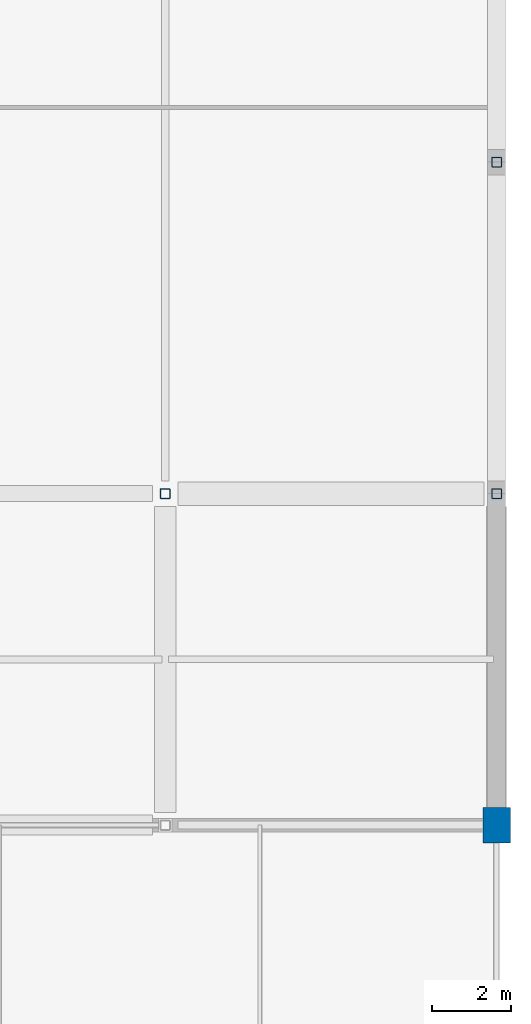
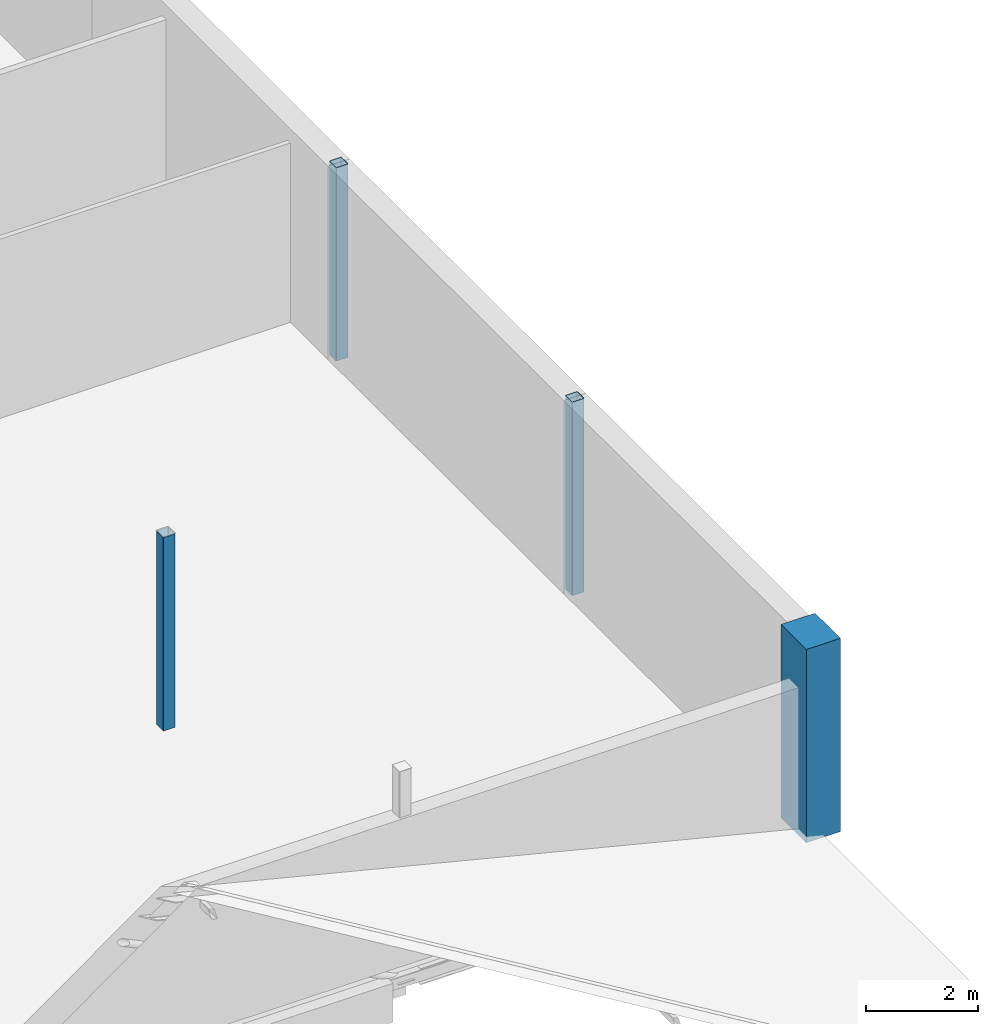
# One storey, part 7 of 64: 4 columns.
"""IFC4 building model written with IfcOpenShell, lengths in metres."""

import ifcopenshell
import ifcopenshell.guid

model = None  # the IFC model being written
_history = None  # IfcOwnerHistory: only IFC2X3 demands one
_inside = {}  # id of a spatial element -> (the spatial element, [elements in it])
_under = {}  # id of a project, library or spatial element -> (it, [spatial elements below it])
_declared = {}  # id of a project -> (the project, [libraries it declares])
_typed = {}  # id of a type object -> (the type object, [elements of that type])
_made_of = {}  # id of a material, layer set ... -> (it, [elements and type objects made of it])


def new_model(schema):
    """Start an empty IFC model of exactly this schema.

    Asked for "IFC4X3", IfcOpenShell would pick the latest addendum, in which some entities
    have other attributes; the version numbers below select the first issue.
    IFC2X3 requires an IfcOwnerHistory on every rooted entity: one is made here for all.
    """
    global model, _history
    if schema == "IFC4X3":
        model = ifcopenshell.file(schema_version=(4, 3, 0, 0))
    else:
        model = ifcopenshell.file(schema=schema)
    _inside.clear()
    _under.clear()
    _declared.clear()
    _typed.clear()
    _made_of.clear()
    _history = None
    if model.schema == "IFC2X3":
        org = make("IfcOrganization", Name="unknown")
        user = make(
            "IfcPersonAndOrganization",
            ThePerson=make("IfcPerson", FamilyName="unknown"),
            TheOrganization=org,
        )
        app = make(
            "IfcApplication",
            ApplicationDeveloper=org,
            Version="unknown",
            ApplicationFullName="unknown",
            ApplicationIdentifier="unknown",
        )
        _history = make(
            "IfcOwnerHistory",
            OwningUser=user,
            OwningApplication=app,
            ChangeAction="ADDED",
            CreationDate=0,
        )
    return model


def make(cls, **values):
    """One entity of the class cls with the attributes given. An attribute that is None is left unset."""
    return model.create_entity(
        cls, **{name: value for name, value in values.items() if value is not None}
    )


def rooted(cls, **values):
    """An entity with a GlobalId (a new one), such as an element, a storey or a relation."""
    return make(cls, GlobalId=ifcopenshell.guid.new(), OwnerHistory=_history, **values)


def si_unit(unit_type, name, prefix=None):
    """IfcSIUnit, for example si_unit("LENGTHUNIT", "METRE", prefix="MILLI")."""
    return make("IfcSIUnit", UnitType=unit_type, Prefix=prefix, Name=name)


def derived_unit(unit_type, elements):
    """IfcDerivedUnit: a product of units, each with its exponent."""
    return make(
        "IfcDerivedUnit",
        Elements=[
            make("IfcDerivedUnitElement", Unit=unit, Exponent=power)
            for unit, power in elements
        ],
        UnitType=unit_type,
    )


def assignment(units):
    """IfcUnitAssignment: the units of a project."""
    return None if units is None else make("IfcUnitAssignment", Units=units)


def point(xyz):
    """IfcCartesianPoint."""
    return None if xyz is None else make("IfcCartesianPoint", Coordinates=xyz)


def direction(xyz):
    """IfcDirection."""
    return None if xyz is None else make("IfcDirection", DirectionRatios=xyz)


def frame(location, z_axis=None, x_axis=None):
    """IfcAxis2Placement3D, a coordinate frame: its origin and axes. An axis left out is left unset."""
    return make(
        "IfcAxis2Placement3D",
        Location=point(location),
        Axis=direction(z_axis),
        RefDirection=direction(x_axis),
    )


def frame_2d(location, x_axis=None):
    """IfcAxis2Placement2D, a coordinate frame in the plane: its origin and x axis."""
    return make(
        "IfcAxis2Placement2D", Location=point(location), RefDirection=direction(x_axis)
    )


def origin():
    """The frame at (0, 0, 0) with its axes left unset."""
    return frame((0.0, 0.0, 0.0))


def origin_2d():
    """The frame at (0, 0) in the plane with its x axis left unset."""
    return frame_2d((0.0, 0.0))


def place(relative_to, where):
    """IfcLocalPlacement: puts the frame where relative to a parent placement (None: the world)."""
    return make(
        "IfcLocalPlacement", PlacementRelTo=relative_to, RelativePlacement=where
    )


def context(
    kind, dimensions, precision=None, world=None, true_north=None, identifier=None
):
    """IfcGeometricRepresentationContext, for example the 3D "Model" context."""
    return make(
        "IfcGeometricRepresentationContext",
        ContextIdentifier=identifier,
        ContextType=kind,
        CoordinateSpaceDimension=dimensions,
        Precision=precision,
        WorldCoordinateSystem=world,
        TrueNorth=true_north,
    )


def subcontext(parent, identifier, kind, view, scale=None):
    """IfcGeometricRepresentationSubContext, for example "Body" below "Model"."""
    return make(
        "IfcGeometricRepresentationSubContext",
        ContextIdentifier=identifier,
        ContextType=kind,
        ParentContext=parent,
        TargetScale=scale,
        TargetView=view,
    )


def project(units=None, contexts=None):
    """IfcProject with its units and contexts."""
    return rooted(
        "IfcProject",
        Name="project",
        RepresentationContexts=contexts,
        UnitsInContext=assignment(units),
    )


def spatial(cls, under=None, at=None, **own):
    """A site, building, storey or space (cls), placed at a placement, below another one or the project."""
    s = rooted(cls, ObjectPlacement=at, **own)
    if under is not None:
        _under.setdefault(under.id(), (under, []))[1].append(s)
    return s


def profile(cls, at=None, kind="AREA", **sizes):
    """A parametric profile (cls). Its sizes go by their IFC names, for example OverallWidth=200.0."""
    return make(cls, ProfileType=kind, Position=at, **sizes)


def rectangle(**sizes):
    """IfcRectangleProfileDef."""
    return profile("IfcRectangleProfileDef", **sizes)


def hollow_rectangle(**sizes):
    """IfcRectangleHollowProfileDef."""
    return profile("IfcRectangleHollowProfileDef", **sizes)


def extrude(swept, where, along, depth):
    """IfcExtrudedAreaSolid: the profile swept, set in the frame where, extruded along a direction by depth."""
    return make(
        "IfcExtrudedAreaSolid",
        SweptArea=swept,
        Position=where,
        ExtrudedDirection=direction(along),
        Depth=depth,
    )


def shape(context_of_items, identifier, shape_type, items):
    """IfcShapeRepresentation: the items that make up one representation, for example the "Body"."""
    return make(
        "IfcShapeRepresentation",
        ContextOfItems=context_of_items,
        RepresentationIdentifier=identifier,
        RepresentationType=shape_type,
        Items=items,
    )


def material(Name=None, Category=None):
    """IfcMaterial."""
    return make("IfcMaterial", Name=Name, Category=Category)


def material_profile(
    of_material, cross_section, Name=None, Category=None, Priority=None
):
    """IfcMaterialProfile: a cross section and its material."""
    return make(
        "IfcMaterialProfile",
        Name=Name,
        Material=of_material,
        Profile=cross_section,
        Priority=Priority,
        Category=Category,
    )


def profile_set(profiles, Name=None, composite=None):
    """IfcMaterialProfileSet."""
    return make(
        "IfcMaterialProfileSet",
        Name=Name,
        MaterialProfiles=profiles,
        CompositeProfile=composite,
    )


def made_of(thing, what):
    """Note that an element or type object is made of a material, layer set ...; save() writes the relation."""
    if what is not None:
        _made_of.setdefault(what.id(), (what, []))[1].append(thing)
    return thing


def type_object(cls, material=None, **own):
    """A type object (cls), such as IfcWallType, which elements share."""
    return made_of(rooted(cls, **own), material)


def element(
    cls,
    number,
    at=None,
    inside=None,
    cuts=None,
    type_object=None,
    material=None,
    context=None,
    identifier="Body",
    shape_type=None,
    held_by="IfcProductDefinitionShape",
    body=None,
    shapes=None,
    **own,
):
    """One element of the class cls, such as IfcWall. Its Tag is "e" and its number.

    at: its placement. inside: the storey or other place that contains it. cuts: it is an
    opening in that element (IfcRelVoidsElement). A single representation is given by context,
    identifier, shape_type and body (its items); several are given by shapes. held_by: the class
    of the entity that holds the representations. save() writes the other relations.
    """
    e = rooted(cls, Tag="e%d" % number, ObjectPlacement=at, **own)
    if body is not None:
        shapes = [shape(context, identifier, shape_type, body)]
    if shapes is not None:
        e.Representation = make(held_by, Representations=shapes)
    if inside is not None:
        _inside.setdefault(inside.id(), (inside, []))[1].append(e)
    if cuts is not None:
        rooted(
            "IfcRelVoidsElement", RelatingBuildingElement=cuts, RelatedOpeningElement=e
        )
    if type_object is not None:
        _typed.setdefault(type_object.id(), (type_object, []))[1].append(e)
    return made_of(e, material)


def aggregate(whole, parts):
    """IfcRelAggregates: a whole, such as a stair, and the parts it consists of."""
    return rooted("IfcRelAggregates", RelatingObject=whole, RelatedObjects=parts)


def save(model, path):
    """Write the relations noted so far, then the file.

    IfcRelAggregates (storeys below a building ...), IfcRelContainedInSpatialStructure (elements
    in a storey), IfcRelDefinesByType, IfcRelAssociatesMaterial and IfcRelDeclares: one each for
    every whole, place, type object, material and project.
    """
    for whole, parts in _under.values():
        aggregate(whole, parts)
    for where, things in _inside.values():
        rooted(
            "IfcRelContainedInSpatialStructure",
            RelatedElements=things,
            RelatingStructure=where,
        )
    for kind, things in _typed.values():
        rooted("IfcRelDefinesByType", RelatedObjects=things, RelatingType=kind)
    for what, things in _made_of.values():
        rooted("IfcRelAssociatesMaterial", RelatedObjects=things, RelatingMaterial=what)
    for by, libraries in _declared.values():
        rooted("IfcRelDeclares", RelatingContext=by, RelatedDefinitions=libraries)
    model.write(path)


model = new_model("IFC4")

# Units and contexts
model_context = context("Model", 3, precision=1e-05, world=origin(), true_north=direction((0.0, 1.0)))
body_context = subcontext(model_context, "Body", "Model", "MODEL_VIEW")
ifc_project = project(units=[si_unit("LENGTHUNIT", "METRE"), si_unit("AREAUNIT", "SQUARE_METRE"), si_unit("VOLUMEUNIT", "CUBIC_METRE"), si_unit("PLANEANGLEUNIT", "RADIAN"), si_unit("MASSUNIT", "GRAM", prefix="KILO"), derived_unit("THERMALTRANSMITTANCEUNIT", [(si_unit("POWERUNIT", "WATT"), 1), (si_unit("LENGTHUNIT", "METRE"), -2), (si_unit("THERMODYNAMICTEMPERATUREUNIT", "KELVIN"), -1)])], contexts=[model_context])

# Site, building, storey
site_placement = place(None, origin())
site = spatial("IfcSite", under=ifc_project, at=site_placement, CompositionType="ELEMENT")
building_placement = place(site_placement, origin())
building = spatial("IfcBuilding", under=site, at=building_placement, Name="Barrovel Congress Hotel", CompositionType="ELEMENT")
storey_placement = place(building_placement, frame((0.0, 0.0, 14.10009765625)))
storey = spatial("IfcBuildingStorey", under=building, at=storey_placement, Name="L03", CompositionType="ELEMENT", Elevation=14.10009765625)

# Columns
ifc_material_1 = material(Name="Concrete C40", Category="concrete")
ifc_material_profile_1 = material_profile(ifc_material_1, rectangle(XDim=0.699951171875, YDim=0.89990234375, at=origin_2d()), Name="RC700x900")
ifc_profile_set_1 = profile_set([ifc_material_profile_1], Name="Concrete C40")
column_type_1 = type_object("IfcColumnType", Name="COL-RC700x900", PredefinedType="COLUMN", material=ifc_profile_set_1)
column_placement = place(storey_placement, frame((176.39990234375, 79.800048828125, 0.0), z_axis=(0.0, 0.0, 1.0), x_axis=(1.0, 0.0, 0.0)))
element("IfcColumn", 1, at=column_placement, inside=storey, type_object=column_type_1, Name="COL:L03:176.4:79.8", PredefinedType="COLUMN", context=body_context, shape_type="SweptSolid", body=[
    extrude(rectangle(XDim=0.699951171875, YDim=0.89990234375, at=origin_2d()), origin(), (0.0, 0.0, 1.0), 4.199951171875),
])
ifc_material_2 = material(Name="Steel ASTM A500 Grade C", Category="steel")
ifc_material_profile_2 = material_profile(ifc_material_2, hollow_rectangle(XDim=0.25390625, YDim=0.25390625, WallThickness=0.01171875, InnerFilletRadius=0.01171875, OuterFilletRadius=0.023681640625, at=origin_2d()), Name="HSS254x254x12.7")
ifc_profile_set_2 = profile_set([ifc_material_profile_2], Name="Steel ASTM A500 Grade C")
column_type_2 = type_object("IfcColumnType", Name="SCOL-HSS254x254x12.7", PredefinedType="COLUMN", material=ifc_profile_set_2)
for number, where, z_axis, x_axis, name in (
    (2, (168.0, 88.199951171875, 0.0), (0.0, 0.0, 1.0), (1.0, 0.0, 0.0), "COL:L03:168.0:88.2"),
    (3, (176.39990234375, 88.199951171875, 0.0), (0.0, 0.0, 1.0), (1.0, 0.0, 0.0), "COL:L03:176.4:88.2"),
    (4, (176.39990234375, 96.60009765625, 0.0), (0.0, 0.0, 1.0), (1.0, 0.0, 0.0), "COL:L03:176.4:96.6"),
):
    element("IfcColumn", number, at=place(storey_placement, frame(where, z_axis=z_axis, x_axis=x_axis)), inside=storey, type_object=column_type_2, Name=name, PredefinedType="COLUMN", context=body_context, shape_type="SweptSolid", body=[
        extrude(hollow_rectangle(XDim=0.25390625, YDim=0.25390625, WallThickness=0.01171875, InnerFilletRadius=0.01171875, OuterFilletRadius=0.023681640625, at=origin_2d()), origin(), (0.0, 0.0, 1.0), 4.199951171875),
    ])

save(model, "model.ifc")
